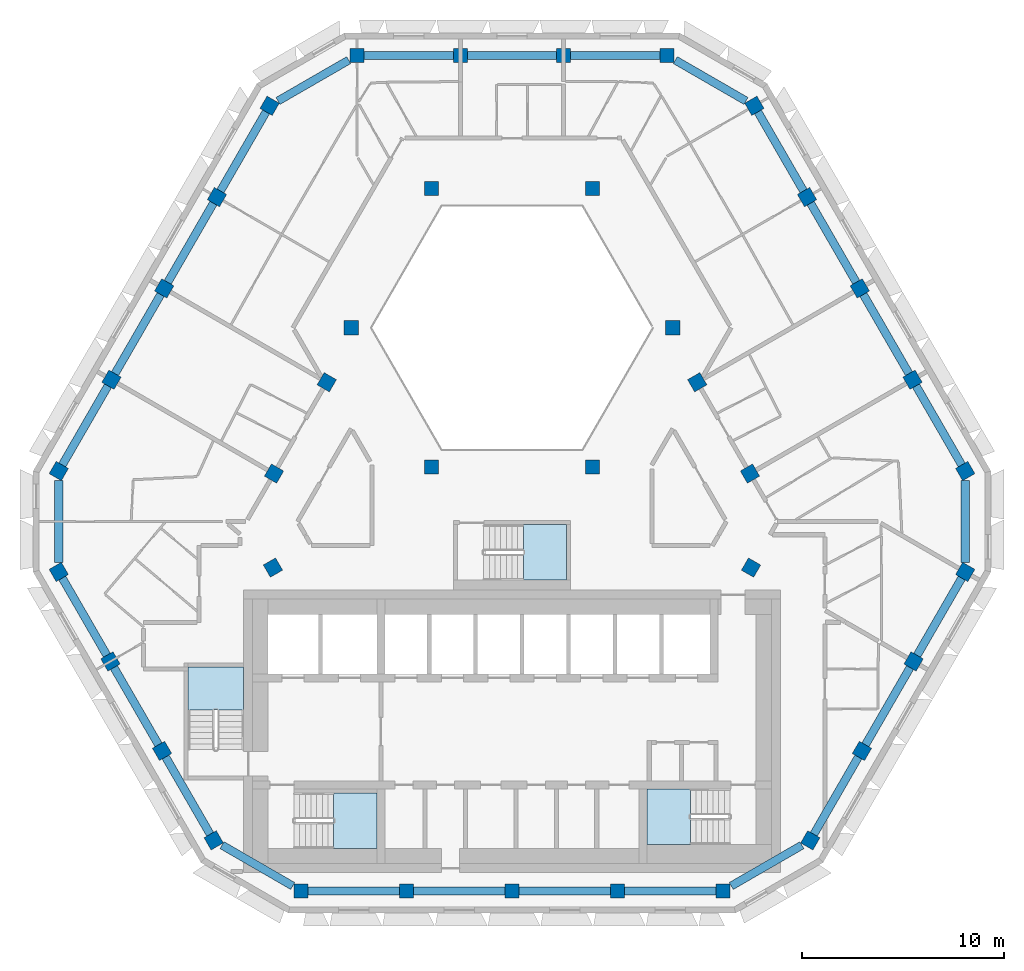
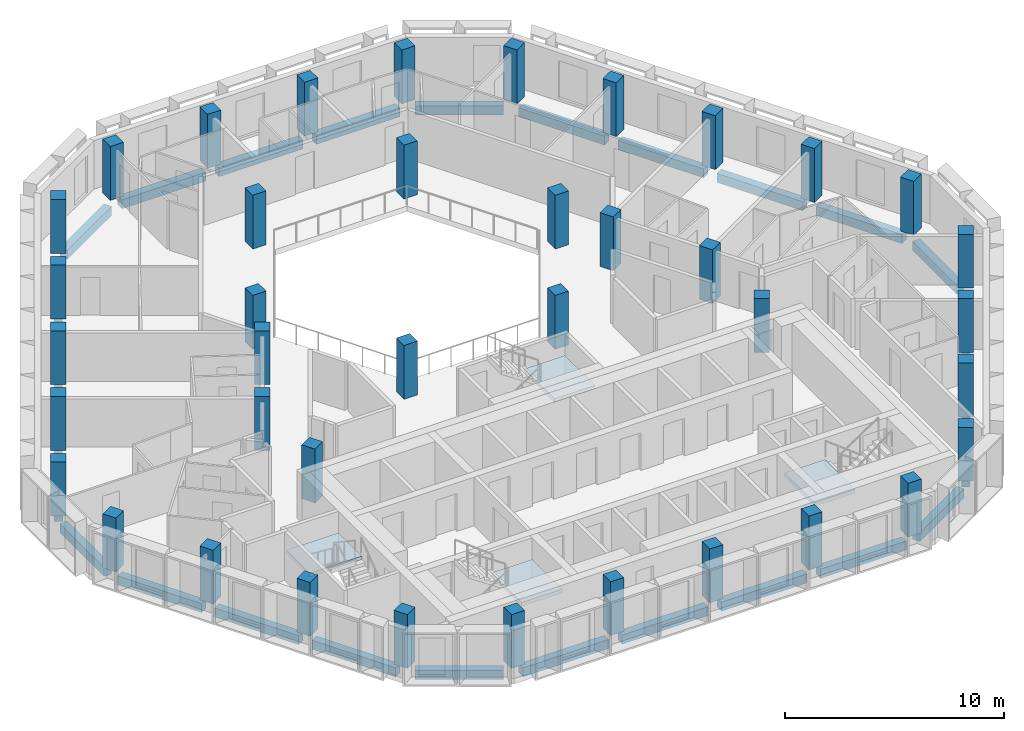
# One storey, part 1 of 15: 39 columns, 27 beams, 4 slabs, 4 elements without a shape of their own.
"""IFC4 building model written with IfcOpenShell, lengths in metres."""

import ifcopenshell
import ifcopenshell.guid

model = None  # the IFC model being written
_history = None  # IfcOwnerHistory: only IFC2X3 demands one
_inside = {}  # id of a spatial element -> (the spatial element, [elements in it])
_under = {}  # id of a project, library or spatial element -> (it, [spatial elements below it])
_declared = {}  # id of a project -> (the project, [libraries it declares])
_typed = {}  # id of a type object -> (the type object, [elements of that type])
_made_of = {}  # id of a material, layer set ... -> (it, [elements and type objects made of it])


def new_model(schema):
    """Start an empty IFC model of exactly this schema.

    Asked for "IFC4X3", IfcOpenShell would pick the latest addendum, in which some entities
    have other attributes; the version numbers below select the first issue.
    IFC2X3 requires an IfcOwnerHistory on every rooted entity: one is made here for all.
    """
    global model, _history
    if schema == "IFC4X3":
        model = ifcopenshell.file(schema_version=(4, 3, 0, 0))
    else:
        model = ifcopenshell.file(schema=schema)
    _inside.clear()
    _under.clear()
    _declared.clear()
    _typed.clear()
    _made_of.clear()
    _history = None
    if model.schema == "IFC2X3":
        org = make("IfcOrganization", Name="unknown")
        user = make(
            "IfcPersonAndOrganization",
            ThePerson=make("IfcPerson", FamilyName="unknown"),
            TheOrganization=org,
        )
        app = make(
            "IfcApplication",
            ApplicationDeveloper=org,
            Version="unknown",
            ApplicationFullName="unknown",
            ApplicationIdentifier="unknown",
        )
        _history = make(
            "IfcOwnerHistory",
            OwningUser=user,
            OwningApplication=app,
            ChangeAction="ADDED",
            CreationDate=0,
        )
    return model


def make(cls, **values):
    """One entity of the class cls with the attributes given. An attribute that is None is left unset."""
    return model.create_entity(
        cls, **{name: value for name, value in values.items() if value is not None}
    )


def rooted(cls, **values):
    """An entity with a GlobalId (a new one), such as an element, a storey or a relation."""
    return make(cls, GlobalId=ifcopenshell.guid.new(), OwnerHistory=_history, **values)


def si_unit(unit_type, name, prefix=None):
    """IfcSIUnit, for example si_unit("LENGTHUNIT", "METRE", prefix="MILLI")."""
    return make("IfcSIUnit", UnitType=unit_type, Prefix=prefix, Name=name)


def assignment(units):
    """IfcUnitAssignment: the units of a project."""
    return None if units is None else make("IfcUnitAssignment", Units=units)


def point(xyz):
    """IfcCartesianPoint."""
    return None if xyz is None else make("IfcCartesianPoint", Coordinates=xyz)


def direction(xyz):
    """IfcDirection."""
    return None if xyz is None else make("IfcDirection", DirectionRatios=xyz)


def frame(location, z_axis=None, x_axis=None):
    """IfcAxis2Placement3D, a coordinate frame: its origin and axes. An axis left out is left unset."""
    return make(
        "IfcAxis2Placement3D",
        Location=point(location),
        Axis=direction(z_axis),
        RefDirection=direction(x_axis),
    )


def frame_2d(location, x_axis=None):
    """IfcAxis2Placement2D, a coordinate frame in the plane: its origin and x axis."""
    return make(
        "IfcAxis2Placement2D", Location=point(location), RefDirection=direction(x_axis)
    )


def origin():
    """The frame at (0, 0, 0) with its axes left unset."""
    return frame((0.0, 0.0, 0.0))


def origin_2d():
    """The frame at (0, 0) in the plane with its x axis left unset."""
    return frame_2d((0.0, 0.0))


def place(relative_to, where):
    """IfcLocalPlacement: puts the frame where relative to a parent placement (None: the world)."""
    return make(
        "IfcLocalPlacement", PlacementRelTo=relative_to, RelativePlacement=where
    )


def context(
    kind, dimensions, precision=None, world=None, true_north=None, identifier=None
):
    """IfcGeometricRepresentationContext, for example the 3D "Model" context."""
    return make(
        "IfcGeometricRepresentationContext",
        ContextIdentifier=identifier,
        ContextType=kind,
        CoordinateSpaceDimension=dimensions,
        Precision=precision,
        WorldCoordinateSystem=world,
        TrueNorth=true_north,
    )


def subcontext(parent, identifier, kind, view, scale=None):
    """IfcGeometricRepresentationSubContext, for example "Body" below "Model"."""
    return make(
        "IfcGeometricRepresentationSubContext",
        ContextIdentifier=identifier,
        ContextType=kind,
        ParentContext=parent,
        TargetScale=scale,
        TargetView=view,
    )


def project(units=None, contexts=None):
    """IfcProject with its units and contexts."""
    return rooted(
        "IfcProject",
        Name="project",
        RepresentationContexts=contexts,
        UnitsInContext=assignment(units),
    )


def spatial(cls, under=None, at=None, **own):
    """A site, building, storey or space (cls), placed at a placement, below another one or the project."""
    s = rooted(cls, ObjectPlacement=at, **own)
    if under is not None:
        _under.setdefault(under.id(), (under, []))[1].append(s)
    return s


def polyline(points):
    """IfcPolyline through the points."""
    return make("IfcPolyline", Points=[point(p) for p in points])


def profile(cls, at=None, kind="AREA", **sizes):
    """A parametric profile (cls). Its sizes go by their IFC names, for example OverallWidth=200.0."""
    return make(cls, ProfileType=kind, Position=at, **sizes)


def rectangle(**sizes):
    """IfcRectangleProfileDef."""
    return profile("IfcRectangleProfileDef", **sizes)


def outline(outer, holes=None, kind="AREA"):
    """IfcArbitraryClosedProfileDef: a profile drawn as a closed curve; with holes, ...WithVoids."""
    if holes is None:
        return make("IfcArbitraryClosedProfileDef", ProfileType=kind, OuterCurve=outer)
    return make(
        "IfcArbitraryProfileDefWithVoids",
        ProfileType=kind,
        OuterCurve=outer,
        InnerCurves=holes,
    )


def extrude(swept, where, along, depth):
    """IfcExtrudedAreaSolid: the profile swept, set in the frame where, extruded along a direction by depth."""
    return make(
        "IfcExtrudedAreaSolid",
        SweptArea=swept,
        Position=where,
        ExtrudedDirection=direction(along),
        Depth=depth,
    )


def shape(context_of_items, identifier, shape_type, items):
    """IfcShapeRepresentation: the items that make up one representation, for example the "Body"."""
    return make(
        "IfcShapeRepresentation",
        ContextOfItems=context_of_items,
        RepresentationIdentifier=identifier,
        RepresentationType=shape_type,
        Items=items,
    )


def material(Name=None, Category=None):
    """IfcMaterial."""
    return make("IfcMaterial", Name=Name, Category=Category)


def layer(
    of_material, thickness, ventilated=None, Name=None, Category=None, Priority=None
):
    """IfcMaterialLayer: one layer of a wall or slab, of a material (None: an air gap)."""
    return make(
        "IfcMaterialLayer",
        Material=of_material,
        LayerThickness=thickness,
        IsVentilated=ventilated,
        Name=Name,
        Category=Category,
        Priority=Priority,
    )


def layer_set(layers, Name=None):
    """IfcMaterialLayerSet."""
    return make("IfcMaterialLayerSet", MaterialLayers=layers, LayerSetName=Name)


def material_profile(
    of_material, cross_section, Name=None, Category=None, Priority=None
):
    """IfcMaterialProfile: a cross section and its material."""
    return make(
        "IfcMaterialProfile",
        Name=Name,
        Material=of_material,
        Profile=cross_section,
        Priority=Priority,
        Category=Category,
    )


def profile_set(profiles, Name=None, composite=None):
    """IfcMaterialProfileSet."""
    return make(
        "IfcMaterialProfileSet",
        Name=Name,
        MaterialProfiles=profiles,
        CompositeProfile=composite,
    )


def made_of(thing, what):
    """Note that an element or type object is made of a material, layer set ...; save() writes the relation."""
    if what is not None:
        _made_of.setdefault(what.id(), (what, []))[1].append(thing)
    return thing


def type_object(cls, material=None, **own):
    """A type object (cls), such as IfcWallType, which elements share."""
    return made_of(rooted(cls, **own), material)


def element(
    cls,
    number,
    at=None,
    inside=None,
    cuts=None,
    type_object=None,
    material=None,
    context=None,
    identifier="Body",
    shape_type=None,
    held_by="IfcProductDefinitionShape",
    body=None,
    shapes=None,
    **own,
):
    """One element of the class cls, such as IfcWall. Its Tag is "e" and its number.

    at: its placement. inside: the storey or other place that contains it. cuts: it is an
    opening in that element (IfcRelVoidsElement). A single representation is given by context,
    identifier, shape_type and body (its items); several are given by shapes. held_by: the class
    of the entity that holds the representations. save() writes the other relations.
    """
    e = rooted(cls, Tag="e%d" % number, ObjectPlacement=at, **own)
    if body is not None:
        shapes = [shape(context, identifier, shape_type, body)]
    if shapes is not None:
        e.Representation = make(held_by, Representations=shapes)
    if inside is not None:
        _inside.setdefault(inside.id(), (inside, []))[1].append(e)
    if cuts is not None:
        rooted(
            "IfcRelVoidsElement", RelatingBuildingElement=cuts, RelatedOpeningElement=e
        )
    if type_object is not None:
        _typed.setdefault(type_object.id(), (type_object, []))[1].append(e)
    return made_of(e, material)


def aggregate(whole, parts):
    """IfcRelAggregates: a whole, such as a stair, and the parts it consists of."""
    return rooted("IfcRelAggregates", RelatingObject=whole, RelatedObjects=parts)


def save(model, path):
    """Write the relations noted so far, then the file.

    IfcRelAggregates (storeys below a building ...), IfcRelContainedInSpatialStructure (elements
    in a storey), IfcRelDefinesByType, IfcRelAssociatesMaterial and IfcRelDeclares: one each for
    every whole, place, type object, material and project.
    """
    for whole, parts in _under.values():
        aggregate(whole, parts)
    for where, things in _inside.values():
        rooted(
            "IfcRelContainedInSpatialStructure",
            RelatedElements=things,
            RelatingStructure=where,
        )
    for kind, things in _typed.values():
        rooted("IfcRelDefinesByType", RelatedObjects=things, RelatingType=kind)
    for what, things in _made_of.values():
        rooted("IfcRelAssociatesMaterial", RelatedObjects=things, RelatingMaterial=what)
    for by, libraries in _declared.values():
        rooted("IfcRelDeclares", RelatingContext=by, RelatedDefinitions=libraries)
    model.write(path)


model = new_model("IFC4")

# Units and contexts
model_context = context("Model", 3, precision=1e-05, world=origin(), true_north=direction((0.0, 1.0)))
body_context = subcontext(model_context, "Body", "Model", "MODEL_VIEW")
ifc_project = project(units=[si_unit("LENGTHUNIT", "METRE"), si_unit("AREAUNIT", "SQUARE_METRE"), si_unit("VOLUMEUNIT", "CUBIC_METRE"), si_unit("PLANEANGLEUNIT", "RADIAN"), si_unit("MASSUNIT", "GRAM", prefix="KILO")], contexts=[model_context])

# Site, building, storey
site_placement = place(None, origin())
site = spatial("IfcSite", under=ifc_project, at=site_placement, CompositionType="ELEMENT")
building_placement = place(site_placement, origin())
building = spatial("IfcBuilding", under=site, at=building_placement, Name="Beryl Residences", CompositionType="ELEMENT")
storey_placement = place(building_placement, frame((0.0, 0.0, 205.800048828125)))
storey = spatial("IfcBuildingStorey", under=building, at=storey_placement, Name="L63", CompositionType="ELEMENT", Elevation=205.800048828125)

# Columns
ifc_material_1 = material(Name="Concrete C50/60", Category="concrete")
ifc_material_profile_1 = material_profile(ifc_material_1, rectangle(XDim=0.699951171875, YDim=0.699951171875, at=origin_2d()))
ifc_profile_set_1 = profile_set([ifc_material_profile_1], Name="Concrete C50/60")
column_type_1 = type_object("IfcColumnType", Name="C5 tube column 700 x 700 C50/60", PredefinedType="COLUMN", material=ifc_profile_set_1)
for number, where, z_axis, x_axis, name in (
    (1, (7.678955078125, 21.5, 0.0), (0.0, 0.0, 1.0), (-1.0, 0.0, 0.0), "C5-N1 L63"),
    (2, (2.56005859375, 21.5, 0.0), (0.0, 0.0, 1.0), (-1.0, 0.0, 0.0), "C5-N2 L63"),
    (3, (-2.55908203125, 21.5, 0.0), (0.0, 0.0, 1.0), (-1.0, 0.0, 0.0), "C5-N3 L63"),
    (4, (-7.677978515625, 21.5, 0.0), (0.0, 0.0, 1.0), (-1.0, 0.0, 0.0), "C5-N4 L63"),
    (5, (-12.009033203125, 19.0, 0.0), (0.0, 0.0, 1.0), (-0.499969769706, -0.866042856549, 0.0), "C5-NW1 L63"),
    (6, (-14.62109375, 14.47509765625, 0.0), (0.0, 0.0, 1.0), (-0.499969769706, -0.866042856549, 0.0), "C5-NW2 L63"),
    (7, (-17.23291015625, 9.949951171875, 0.0), (0.0, 0.0, 1.0), (-0.499969769706, -0.866042856549, 0.0), "C5-NW3 L63"),
    (8, (-19.845947265625, 5.425048828125, 0.0), (0.0, 0.0, 1.0), (-0.499969769706, -0.866042856549, 0.0), "C5-NW4 L63"),
    (9, (-22.4580078125, 0.89990234375, 0.0), (0.0, 0.0, 1.0), (-0.499969769706, -0.866042856549, 0.0), "C5-NW5 L63"),
    (10, (-22.458984375, -4.10009765625, 0.0), (0.0, 0.0, 1.0), (0.499984884929, -0.866034130299, 0.0), "C5-SW1 L63"),
    (11, (-19.89892578125, -8.532958984375, 0.0), (0.0, 0.0, 1.0), (0.499984884929, -0.866034130299, 0.0), "C5-SW2 L63"),
    (12, (-17.340087890625, -12.966064453125, 0.0), (0.0, 0.0, 1.0), (0.499984884929, -0.866034130299, 0.0), "C5-SW3 L63"),
    (13, (-14.781005859375, -17.39892578125, 0.0), (0.0, 0.0, 1.0), (0.499984884929, -0.866034130299, 0.0), "C5-SW4 L63"),
    (14, (-10.449951171875, -19.89990234375, 0.0), (0.0, 0.0, 1.0), (1.0, 0.0, 0.0), "C5-S1 L63"),
    (15, (-5.22509765625, -19.89990234375, 0.0), (0.0, 0.0, 1.0), (1.0, 0.0, 0.0), "C5-S2 L63"),
    (16, (0.0, -19.89990234375, 0.0), (0.0, 0.0, 1.0), (1.0, 0.0, 0.0), "C5-S3 L63"),
    (17, (5.22509765625, -19.89990234375, 0.0), (0.0, 0.0, 1.0), (1.0, 0.0, 0.0), "C5-S4 L63"),
    (18, (10.449951171875, -19.89990234375, 0.0), (0.0, 0.0, 1.0), (1.0, 0.0, 0.0), "C5-S5 L63"),
    (19, (14.780029296875, -17.39990234375, 0.0), (0.0, 0.0, 1.0), (0.499984884929, 0.866034130299, 0.0), "C5-SE1 L63"),
    (20, (17.339111328125, -12.967041015625, 0.0), (0.0, 0.0, 1.0), (0.499984884929, 0.866034130299, 0.0), "C5-SE2 L63"),
    (21, (19.89892578125, -8.533935546875, 0.0), (0.0, 0.0, 1.0), (0.499984884929, 0.866034130299, 0.0), "C5-SE3 L63"),
    (22, (22.4580078125, -4.10107421875, 0.0), (0.0, 0.0, 1.0), (0.499984884929, 0.866034130299, 0.0), "C5-SE4 L63"),
    (23, (22.4580078125, 0.89990234375, 0.0), (0.0, 0.0, 1.0), (-0.499969769706, 0.866042856549, 0.0), "C5-NE1 L63"),
    (24, (19.845947265625, 5.425048828125, 0.0), (0.0, 0.0, 1.0), (-0.499969769706, 0.866042856549, 0.0), "C5-NE2 L63"),
    (25, (17.23291015625, 9.949951171875, 0.0), (0.0, 0.0, 1.0), (-0.499969769706, 0.866042856549, 0.0), "C5-NE3 L63"),
    (26, (14.62109375, 14.47509765625, 0.0), (0.0, 0.0, 1.0), (-0.499969769706, 0.866042856549, 0.0), "C5-NE4 L63"),
    (27, (12.009033203125, 19.0, 0.0), (0.0, 0.0, 1.0), (-0.499969769706, 0.866042856549, 0.0), "C5-NE5 L63"),
):
    element("IfcColumn", number, at=place(storey_placement, frame(where, z_axis=z_axis, x_axis=x_axis)), inside=storey, type_object=column_type_1, Name=name, PredefinedType="COLUMN", context=body_context, shape_type="SweptSolid", body=[
        extrude(rectangle(XDim=0.699951171875, YDim=0.699951171875, at=origin_2d()), origin(), (0.0, 0.0, 1.0), 3.0),
    ])
ifc_material_2 = material(Name="Concrete C50/60", Category="concrete")
ifc_material_profile_2 = material_profile(ifc_material_2, rectangle(XDim=0.699951171875, YDim=0.699951171875, at=origin_2d()))
ifc_profile_set_2 = profile_set([ifc_material_profile_2], Name="Concrete C50/60")
column_type_2 = type_object("IfcColumnType", Name="IC5 interior column 700 x 700 C50/60", PredefinedType="COLUMN", material=ifc_profile_set_2)
for number, where, z_axis, x_axis, name in (
    (28, (-11.844970703125, -3.883056640625, 0.0), (0.0, 0.0, 1.0), (0.499984884929, -0.866034130299, 0.0), "IC5-M01 L63"),
    (29, (11.844970703125, -3.884033203125, 0.0), (0.0, 0.0, 1.0), (0.499984884929, 0.866034130299, 0.0), "IC5-M02 L63"),
    (30, (11.7919921875, 0.77490234375, 0.0), (0.0, 0.0, 1.0), (-0.499969769706, 0.866042856549, 0.0), "IC5-M03 L63"),
    (31, (3.98388671875, 1.10009765625, 0.0), (0.0, 0.0, 1.0), (1.0, 0.0, 0.0), "IC5-A04 L63"),
    (32, (9.178955078125, 5.300048828125, 0.0), (0.0, 0.0, 1.0), (-0.499969769706, 0.866042856549, 0.0), "IC5-M05 L63"),
    (33, (7.967041015625, 8.0, 0.0), (0.0, 0.0, 1.0), (1.0, 0.0, 0.0), "IC5-A06 L63"),
    (34, (3.98388671875, 14.89990234375, 0.0), (0.0, 0.0, 1.0), (1.0, 0.0, 0.0), "IC5-A07 L63"),
    (35, (-3.98388671875, 14.89990234375, 0.0), (0.0, 0.0, 1.0), (1.0, 0.0, 0.0), "IC5-A08 L63"),
    (36, (-7.967041015625, 8.0, 0.0), (0.0, 0.0, 1.0), (1.0, 0.0, 0.0), "IC5-A09 L63"),
    (37, (-9.178955078125, 5.300048828125, 0.0), (0.0, 0.0, 1.0), (-0.499969769706, -0.866042856549, 0.0), "IC5-M10 L63"),
    (38, (-3.98388671875, 1.10009765625, 0.0), (0.0, 0.0, 1.0), (1.0, 0.0, 0.0), "IC5-A11 L63"),
    (39, (-11.7919921875, 0.77490234375, 0.0), (0.0, 0.0, 1.0), (-0.499969769706, -0.866042856549, 0.0), "IC5-M12 L63"),
):
    element("IfcColumn", number, at=place(storey_placement, frame(where, z_axis=z_axis, x_axis=x_axis)), inside=storey, type_object=column_type_2, Name=name, PredefinedType="COLUMN", context=body_context, shape_type="SweptSolid", body=[
        extrude(rectangle(XDim=0.699951171875, YDim=0.699951171875, at=origin_2d()), origin(), (0.0, 0.0, 1.0), 3.0),
    ])

# Beams
ifc_material_3 = material(Name="Concrete C50/60", Category="concrete")
ifc_material_profile_3 = material_profile(ifc_material_3, rectangle(XDim=0.39990234375, YDim=0.5, at=origin_2d()))
ifc_profile_set_3 = profile_set([ifc_material_profile_3], Name="Concrete C50/60")
beam_type = type_object("IfcBeamType", Name="SB5 spandrel beam 400 x 500 C50/60", PredefinedType="SPANDREL", material=ifc_profile_set_3)
beam_1_placement = place(storey_placement, frame((7.3291015625, 21.5, -0.550048828125), z_axis=(-1.0, 0.0, 0.0), x_axis=(0.0, -1.0, 0.0)))
element("IfcBeam", 40, at=beam_1_placement, inside=storey, type_object=beam_type, Name="SB5 L63 N-0", PredefinedType="SPANDREL", context=body_context, shape_type="SweptSolid", body=[
    extrude(rectangle(XDim=0.39990234375, YDim=0.5, at=origin_2d()), origin(), (0.0, 0.0, 1.0), 4.419189453125),
])
for number, where, z_axis, x_axis, name in (
    (41, (2.2099609375, 21.5, -0.550048828125), (-1.0, 0.0, 0.0), (0.0, -1.0, 0.0), "SB5 L63 N-1"),
    (42, (-2.908935546875, 21.5, -0.550048828125), (-1.0, 0.0, 0.0), (0.0, -1.0, 0.0), "SB5 L63 N-2"),
):
    element("IfcBeam", number, at=place(storey_placement, frame(where, z_axis=z_axis, x_axis=x_axis)), inside=storey, type_object=beam_type, Name=name, PredefinedType="SPANDREL", context=body_context, shape_type="SweptSolid", body=[
        extrude(rectangle(XDim=0.39990234375, YDim=0.5, at=origin_2d()), origin(), (0.0, 0.0, 1.0), 4.4189453125),
    ])
beam_2_placement = place(storey_placement, frame((-8.092041015625, 21.260986328125, -0.550048828125), z_axis=(-0.866073013527, -0.499917528438, 0.0), x_axis=(0.499917528438, -0.866073013527, 0.0)))
element("IfcBeam", 43, at=beam_2_placement, inside=storey, type_object=beam_type, Name="SB5 L63 N-3", PredefinedType="SPANDREL", context=body_context, shape_type="SweptSolid", body=[
    extrude(rectangle(XDim=0.39990234375, YDim=0.5, at=origin_2d()), origin(), (0.0, 0.0, 1.0), 4.044677734375),
])
beam_3_placement = place(storey_placement, frame((-12.18408203125, 18.697021484375, -0.550048828125), z_axis=(-0.499893710643, -0.866086761277, 0.0), x_axis=(0.866086761277, -0.499893710643, 0.0)))
element("IfcBeam", 44, at=beam_3_placement, inside=storey, type_object=beam_type, Name="SB5 L63 NW-0", PredefinedType="SPANDREL", context=body_context, shape_type="SweptSolid", body=[
    extrude(rectangle(XDim=0.39990234375, YDim=0.5, at=origin_2d()), origin(), (0.0, 0.0, 1.0), 4.52490234375),
])
beam_4_placement = place(storey_placement, frame((-14.7958984375, 14.172119140625, -0.550048828125), z_axis=(-0.499910821401, -0.866076884951, 0.0), x_axis=(0.866076884951, -0.499910821401, 0.0)))
element("IfcBeam", 45, at=beam_4_placement, inside=storey, type_object=beam_type, Name="SB5 L63 NW-1", PredefinedType="SPANDREL", context=body_context, shape_type="SweptSolid", body=[
    extrude(rectangle(XDim=0.39990234375, YDim=0.5, at=origin_2d()), origin(), (0.0, 0.0, 1.0), 4.525146484375),
])
beam_5_placement = place(storey_placement, frame((-17.407958984375, 9.64697265625, -0.550048828125), z_axis=(-0.500055572588, -0.865993316558, 0.0), x_axis=(0.865993316558, -0.500055572588, 0.0)))
element("IfcBeam", 46, at=beam_5_placement, inside=storey, type_object=beam_type, Name="SB5 L63 NW-2", PredefinedType="SPANDREL", context=body_context, shape_type="SweptSolid", body=[
    extrude(rectangle(XDim=0.39990234375, YDim=0.5, at=origin_2d()), origin(), (0.0, 0.0, 1.0), 4.525390625),
])
beam_6_placement = place(storey_placement, frame((-20.02099609375, 5.1220703125, -0.550048828125), z_axis=(-0.499870351634, -0.866100243365, 0.0), x_axis=(0.866100243365, -0.499870351634, 0.0)))
element("IfcBeam", 47, at=beam_6_placement, inside=storey, type_object=beam_type, Name="SB5 L63 NW-3", PredefinedType="SPANDREL", context=body_context, shape_type="SweptSolid", body=[
    extrude(rectangle(XDim=0.39990234375, YDim=0.5, at=origin_2d()), origin(), (0.0, 0.0, 1.0), 4.525146484375),
])
beam_7_placement = place(storey_placement, frame((-22.4580078125, 0.422119140625, -0.550048828125), z_axis=(-0.000241472978, -0.999999970845, 0.0), x_axis=(0.999999970845, -0.000241472978, 0.0)))
element("IfcBeam", 48, at=beam_7_placement, inside=storey, type_object=beam_type, Name="SB5 L63 NW-4", PredefinedType="SPANDREL", context=body_context, shape_type="SweptSolid", body=[
    extrude(rectangle(XDim=0.39990234375, YDim=0.5, at=origin_2d()), origin(), (0.0, 0.0, 1.0), 4.044189453125),
])
beam_8_placement = place(storey_placement, frame((-22.283935546875, -4.403076171875, -0.550048828125), z_axis=(0.500084296963, -0.86597672944, 0.0), x_axis=(0.86597672944, 0.500084296963, 0.0)))
element("IfcBeam", 49, at=beam_8_placement, inside=storey, type_object=beam_type, Name="SB5 L63 SW-0", PredefinedType="SPANDREL", context=body_context, shape_type="SweptSolid", body=[
    extrude(rectangle(XDim=0.39990234375, YDim=0.5, at=origin_2d()), origin(), (0.0, 0.0, 1.0), 4.419189453125),
])
beam_9_placement = place(storey_placement, frame((-19.72412109375, -8.8359375, -0.550048828125), z_axis=(0.49993607075, -0.866062310208, 0.0), x_axis=(0.866062310208, 0.49993607075, 0.0)))
element("IfcBeam", 50, at=beam_9_placement, inside=storey, type_object=beam_type, Name="SB5 L63 SW-1", PredefinedType="SPANDREL", context=body_context, shape_type="SweptSolid", body=[
    extrude(rectangle(XDim=0.39990234375, YDim=0.5, at=origin_2d()), origin(), (0.0, 0.0, 1.0), 4.4189453125),
])
beam_10_placement = place(storey_placement, frame((-17.1650390625, -13.26904296875, -0.550048828125), z_axis=(0.499918550948, -0.86607242331, 0.0), x_axis=(0.86607242331, 0.499918550948, 0.0)))
element("IfcBeam", 51, at=beam_10_placement, inside=storey, type_object=beam_type, Name="SB5 L63 SW-2", PredefinedType="SPANDREL", context=body_context, shape_type="SweptSolid", body=[
    extrude(rectangle(XDim=0.39990234375, YDim=0.5, at=origin_2d()), origin(), (0.0, 0.0, 1.0), 4.418701171875),
])
beam_11_placement = place(storey_placement, frame((-14.366943359375, -17.637939453125, -0.550048828125), z_axis=(0.865968468779, -0.500098601359, 0.0), x_axis=(0.500098601359, 0.865968468779, 0.0)))
element("IfcBeam", 52, at=beam_11_placement, inside=storey, type_object=beam_type, Name="SB5 L63 SW-3", PredefinedType="SPANDREL", context=body_context, shape_type="SweptSolid", body=[
    extrude(rectangle(XDim=0.39990234375, YDim=0.5, at=origin_2d()), origin(), (0.0, 0.0, 1.0), 4.045166015625),
])
beam_12_placement = place(storey_placement, frame((-10.10009765625, -19.89990234375, -0.550048828125), z_axis=(1.0, 0.0, 0.0), x_axis=(0.0, 1.0, 0.0)))
element("IfcBeam", 53, at=beam_12_placement, inside=storey, type_object=beam_type, Name="SB5 L63 S-0", PredefinedType="SPANDREL", context=body_context, shape_type="SweptSolid", body=[
    extrude(rectangle(XDim=0.39990234375, YDim=0.5, at=origin_2d()), origin(), (0.0, 0.0, 1.0), 4.525146484375),
])
for number, where, z_axis, x_axis, name in (
    (54, (-4.875, -19.89990234375, -0.550048828125), (1.0, 0.0, 0.0), (0.0, 1.0, 0.0), "SB5 L63 S-1"),
    (55, (0.35009765625, -19.89990234375, -0.550048828125), (1.0, 0.0, 0.0), (0.0, 1.0, 0.0), "SB5 L63 S-2"),
):
    element("IfcBeam", number, at=place(storey_placement, frame(where, z_axis=z_axis, x_axis=x_axis)), inside=storey, type_object=beam_type, Name=name, PredefinedType="SPANDREL", context=body_context, shape_type="SweptSolid", body=[
        extrude(rectangle(XDim=0.39990234375, YDim=0.5, at=origin_2d()), origin(), (0.0, 0.0, 1.0), 4.52490234375),
    ])
beam_13_placement = place(storey_placement, frame((5.574951171875, -19.89990234375, -0.550048828125), z_axis=(1.0, 0.0, 0.0), x_axis=(0.0, 1.0, 0.0)))
element("IfcBeam", 56, at=beam_13_placement, inside=storey, type_object=beam_type, Name="SB5 L63 S-3", PredefinedType="SPANDREL", context=body_context, shape_type="SweptSolid", body=[
    extrude(rectangle(XDim=0.39990234375, YDim=0.5, at=origin_2d()), origin(), (0.0, 0.0, 1.0), 4.525146484375),
])
beam_14_placement = place(storey_placement, frame((10.864013671875, -19.660888671875, -0.550048828125), z_axis=(0.866012652573, 0.500022085096, 0.0), x_axis=(-0.500022085096, 0.866012652573, 0.0)))
element("IfcBeam", 57, at=beam_14_placement, inside=storey, type_object=beam_type, Name="SB5 L63 S-4", PredefinedType="SPANDREL", context=body_context, shape_type="SweptSolid", body=[
    extrude(rectangle(XDim=0.39990234375, YDim=0.5, at=origin_2d()), origin(), (0.0, 0.0, 1.0), 4.043701171875),
])
beam_15_placement = place(storey_placement, frame((14.955078125, -17.096923828125, -0.550048828125), z_axis=(0.499918550948, 0.86607242331, 0.0), x_axis=(-0.86607242331, 0.499918550948, 0.0)))
element("IfcBeam", 58, at=beam_15_placement, inside=storey, type_object=beam_type, Name="SB5 L63 SE-0", PredefinedType="SPANDREL", context=body_context, shape_type="SweptSolid", body=[
    extrude(rectangle(XDim=0.39990234375, YDim=0.5, at=origin_2d()), origin(), (0.0, 0.0, 1.0), 4.418701171875),
])
beam_16_placement = place(storey_placement, frame((17.513916015625, -12.6640625, -0.550048828125), z_axis=(0.500101800387, 0.865966621326, 0.0), x_axis=(-0.865966621326, 0.500101800387, 0.0)))
element("IfcBeam", 59, at=beam_16_placement, inside=storey, type_object=beam_type, Name="SB5 L63 SE-1", PredefinedType="SPANDREL", context=body_context, shape_type="SweptSolid", body=[
    extrude(rectangle(XDim=0.39990234375, YDim=0.5, at=origin_2d()), origin(), (0.0, 0.0, 1.0), 4.41943359375),
])
beam_17_placement = place(storey_placement, frame((20.073974609375, -8.23095703125, -0.550048828125), z_axis=(0.499918550948, 0.86607242331, 0.0), x_axis=(-0.86607242331, 0.499918550948, 0.0)))
element("IfcBeam", 60, at=beam_17_placement, inside=storey, type_object=beam_type, Name="SB5 L63 SE-2", PredefinedType="SPANDREL", context=body_context, shape_type="SweptSolid", body=[
    extrude(rectangle(XDim=0.39990234375, YDim=0.5, at=origin_2d()), origin(), (0.0, 0.0, 1.0), 4.418701171875),
])
beam_18_placement = place(storey_placement, frame((22.4580078125, -3.623046875, -0.550048828125), z_axis=(0.0, 1.0, 0.0), x_axis=(-1.0, 0.0, 0.0)))
element("IfcBeam", 61, at=beam_18_placement, inside=storey, type_object=beam_type, Name="SB5 L63 SE-3", PredefinedType="SPANDREL", context=body_context, shape_type="SweptSolid", body=[
    extrude(rectangle(XDim=0.39990234375, YDim=0.5, at=origin_2d()), origin(), (0.0, 0.0, 1.0), 4.045166015625),
])
beam_19_placement = place(storey_placement, frame((22.282958984375, 1.202880859375, -0.550048828125), z_axis=(-0.499870351634, 0.866100243365, 0.0), x_axis=(-0.866100243365, -0.499870351634, 0.0)))
element("IfcBeam", 62, at=beam_19_placement, inside=storey, type_object=beam_type, Name="SB5 L63 NE-0", PredefinedType="SPANDREL", context=body_context, shape_type="SweptSolid", body=[
    extrude(rectangle(XDim=0.39990234375, YDim=0.5, at=origin_2d()), origin(), (0.0, 0.0, 1.0), 4.525146484375),
])
beam_20_placement = place(storey_placement, frame((19.6708984375, 5.72802734375, -0.550048828125), z_axis=(-0.500055572588, 0.865993316558, 0.0), x_axis=(-0.865993316558, -0.500055572588, 0.0)))
element("IfcBeam", 63, at=beam_20_placement, inside=storey, type_object=beam_type, Name="SB5 L63 NE-1", PredefinedType="SPANDREL", context=body_context, shape_type="SweptSolid", body=[
    extrude(rectangle(XDim=0.39990234375, YDim=0.5, at=origin_2d()), origin(), (0.0, 0.0, 1.0), 4.525390625),
])
beam_21_placement = place(storey_placement, frame((17.05810546875, 10.2529296875, -0.550048828125), z_axis=(-0.499910821401, 0.866076884951, 0.0), x_axis=(-0.866076884951, -0.499910821401, 0.0)))
element("IfcBeam", 64, at=beam_21_placement, inside=storey, type_object=beam_type, Name="SB5 L63 NE-2", PredefinedType="SPANDREL", context=body_context, shape_type="SweptSolid", body=[
    extrude(rectangle(XDim=0.39990234375, YDim=0.5, at=origin_2d()), origin(), (0.0, 0.0, 1.0), 4.525146484375),
])
beam_22_placement = place(storey_placement, frame((14.446044921875, 14.778076171875, -0.550048828125), z_axis=(-0.499893710643, 0.866086761277, 0.0), x_axis=(-0.866086761277, -0.499893710643, 0.0)))
element("IfcBeam", 65, at=beam_22_placement, inside=storey, type_object=beam_type, Name="SB5 L63 NE-3", PredefinedType="SPANDREL", context=body_context, shape_type="SweptSolid", body=[
    extrude(rectangle(XDim=0.39990234375, YDim=0.5, at=origin_2d()), origin(), (0.0, 0.0, 1.0), 4.52490234375),
])
beam_23_placement = place(storey_placement, frame((11.594970703125, 19.239013671875, -0.550048828125), z_axis=(-0.866012652573, 0.500022085096, 0.0), x_axis=(-0.500022085096, -0.866012652573, 0.0)))
element("IfcBeam", 66, at=beam_23_placement, inside=storey, type_object=beam_type, Name="SB5 L63 NE-4", PredefinedType="SPANDREL", context=body_context, shape_type="SweptSolid", body=[
    extrude(rectangle(XDim=0.39990234375, YDim=0.5, at=origin_2d()), origin(), (0.0, 0.0, 1.0), 4.043701171875),
])

# Stair, slab
ifc_material_4 = material(Name="Concrete C40/50", Category="concrete")
stair_type = type_object("IfcStairType", Name="ST1 protected exit stair, half-turn, 1300 mm flights", PredefinedType="HALF_TURN_STAIR", material=ifc_material_4)
stair_1_placement = place(storey_placement, origin())
stair_1 = element("IfcStair", 67, at=stair_1_placement, inside=storey, type_object=stair_type, Name="L63 PROTECTED EXIT STAIR ST-1", PredefinedType="HALF_TURN_STAIR")
ifc_material_5 = material(Name="Concrete C40/50", Category="concrete")
ifc_layer = layer(ifc_material_5, 0.199951171875)
ifc_layer_set = layer_set([ifc_layer], Name="SLD1 stair landing 200 mm")
slab_type = type_object("IfcSlabType", Name="SLD1 stair landing 200 mm", PredefinedType="LANDING", material=ifc_layer_set)
slab_1_placement = place(storey_placement, frame((0.0, 0.0, 1.300048828125)))
slab_1 = element("IfcSlab", 68, at=slab_1_placement, type_object=slab_type, Name="ST-1 landing 1", PredefinedType="LANDING", context=body_context, shape_type="SweptSolid", body=[
    extrude(outline(polyline([(-8.840087890625, -17.800048828125), (-6.699951171875, -17.800048828125), (-6.699951171875, -15.050048828125), (-8.840087890625, -15.050048828125), (-8.840087890625, -17.800048828125)])), origin(), (0.0, 0.0, 1.0), 0.199951171875),
])
aggregate(stair_1, [slab_1])

stair_2_placement = place(storey_placement, origin())
stair_2 = element("IfcStair", 69, at=stair_2_placement, inside=storey, type_object=stair_type, Name="L63 PROTECTED EXIT STAIR ST-2", PredefinedType="HALF_TURN_STAIR")
slab_2_placement = place(storey_placement, frame((0.0, 0.0, 1.300048828125)))
slab_2 = element("IfcSlab", 70, at=slab_2_placement, type_object=slab_type, Name="ST-2 landing 1", PredefinedType="LANDING", context=body_context, shape_type="SweptSolid", body=[
    extrude(outline(polyline([(-13.300048828125, -10.93994140625), (-13.300048828125, -8.800048828125), (-16.050048828125, -8.800048828125), (-16.050048828125, -10.93994140625), (-13.300048828125, -10.93994140625)])), origin(), (0.0, 0.0, 1.0), 0.199951171875),
])
aggregate(stair_2, [slab_2])

stair_3_placement = place(storey_placement, origin())
stair_3 = element("IfcStair", 71, at=stair_3_placement, inside=storey, type_object=stair_type, Name="L63 PROTECTED EXIT STAIR ST-3", PredefinedType="HALF_TURN_STAIR")
slab_3_placement = place(storey_placement, frame((0.0, 0.0, 1.300048828125)))
slab_3 = element("IfcSlab", 72, at=slab_3_placement, type_object=slab_type, Name="ST-3 landing 1", PredefinedType="LANDING", context=body_context, shape_type="SweptSolid", body=[
    extrude(outline(polyline([(8.840087890625, -14.85009765625), (6.699951171875, -14.85009765625), (6.699951171875, -17.60009765625), (8.840087890625, -17.60009765625), (8.840087890625, -14.85009765625)])), origin(), (0.0, 0.0, 1.0), 0.199951171875),
])
aggregate(stair_3, [slab_3])

stair_4_placement = place(storey_placement, origin())
stair_4 = element("IfcStair", 73, at=stair_4_placement, inside=storey, type_object=stair_type, Name="L63 PROTECTED EXIT STAIR ST-4", PredefinedType="HALF_TURN_STAIR")
slab_4_placement = place(storey_placement, frame((0.0, 0.0, 1.300048828125)))
slab_4 = element("IfcSlab", 74, at=slab_4_placement, type_object=slab_type, Name="ST-4 landing 1", PredefinedType="LANDING", context=body_context, shape_type="SweptSolid", body=[
    extrude(outline(polyline([(0.56005859375, -4.5), (2.699951171875, -4.5), (2.699951171875, -1.75), (0.56005859375, -1.75), (0.56005859375, -4.5)])), origin(), (0.0, 0.0, 1.0), 0.199951171875),
])
aggregate(stair_4, [slab_4])

save(model, "model.ifc")
